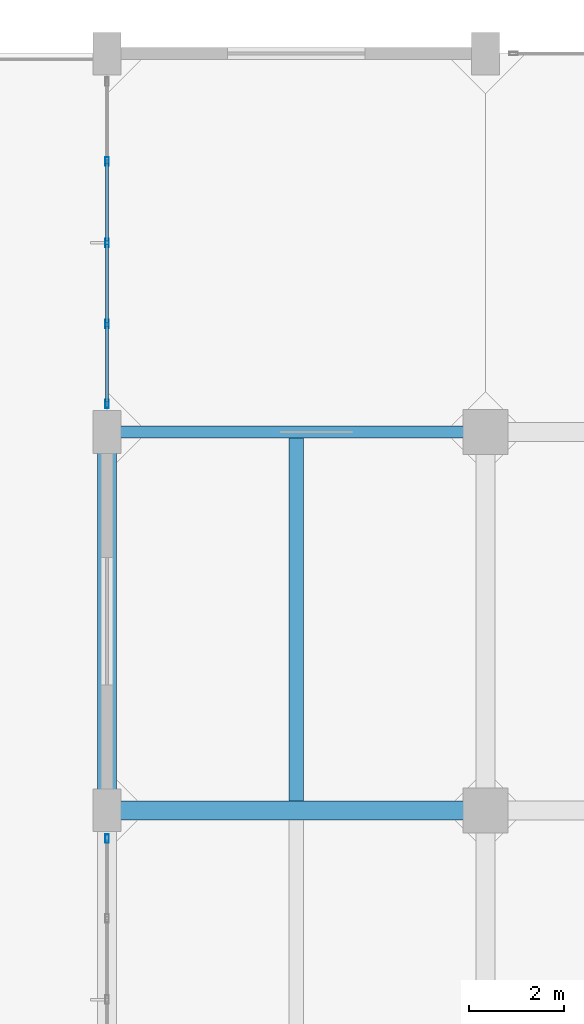
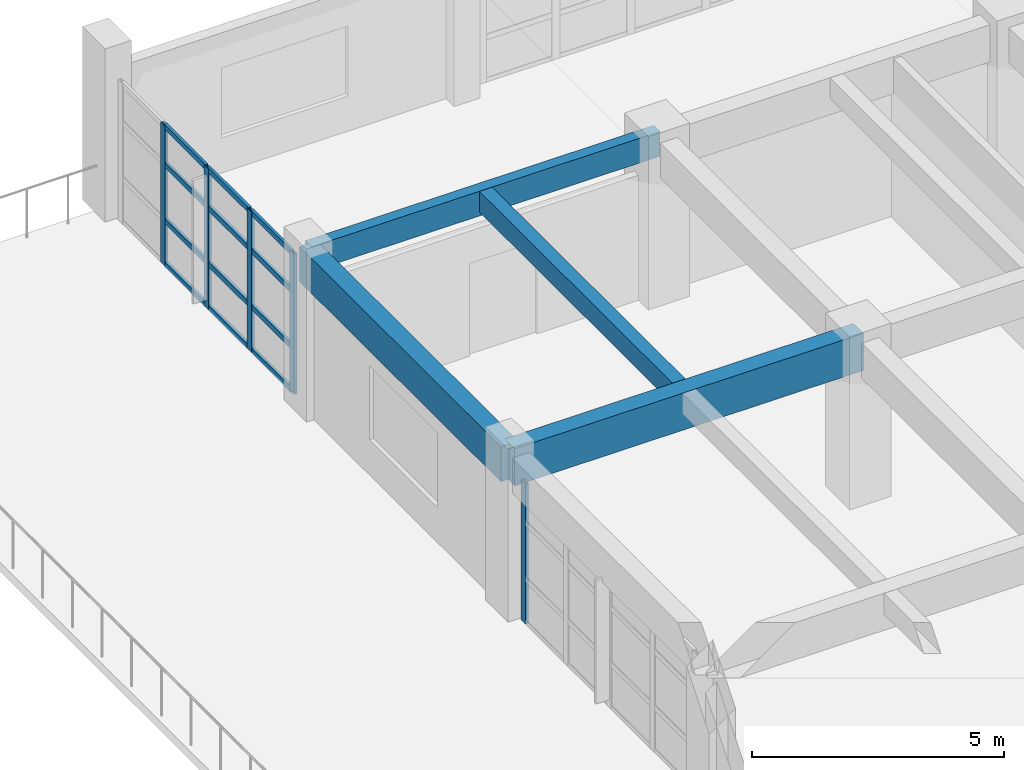
# One storey, part 9 of 35: 17 members, 4 beams, 2 elements without a shape of their own.
"""IFC4 building model written with IfcOpenShell, lengths in metres."""

from ifc_helpers import new_model, si_unit, direction, frame, origin, origin_2d, place, context, subcontext, project, spatial, rectangle, hollow_rectangle, extrude, material, layer, layer_set, material_profile, profile_set, type_object, element, aggregate, save


model = new_model("IFC4")

# Units and contexts
model_context = context("Model", 3, precision=1e-05, world=origin(), true_north=direction((0.0, 1.0)))
body_context = subcontext(model_context, "Body", "Model", "MODEL_VIEW")
ifc_project = project(units=[si_unit("LENGTHUNIT", "METRE"), si_unit("AREAUNIT", "SQUARE_METRE"), si_unit("VOLUMEUNIT", "CUBIC_METRE"), si_unit("PLANEANGLEUNIT", "RADIAN"), si_unit("MASSUNIT", "GRAM", prefix="KILO")], contexts=[model_context])

# Site, building, storey
site_placement = place(None, origin())
site = spatial("IfcSite", under=ifc_project, at=site_placement, CompositionType="ELEMENT")
building_placement = place(site_placement, origin())
building = spatial("IfcBuilding", under=site, at=building_placement, Name="Canggui Botanical Conservatory", CompositionType="ELEMENT")
storey_placement = place(building_placement, frame((0.0, 0.0, 15.0)))
storey = spatial("IfcBuildingStorey", under=building, at=storey_placement, Name="L04", CompositionType="ELEMENT", Elevation=15.0)

# Beams
ifc_material_1 = material(Name="Concrete C35", Category="concrete")
ifc_material_profile_1 = material_profile(ifc_material_1, rectangle(XDim=0.300048828125, YDim=0.5, at=origin_2d()), Name="RB 300x500")
ifc_profile_set_1 = profile_set([ifc_material_profile_1], Name="Concrete C35")
beam_type_1 = type_object("IfcBeamType", Name="BM-JST02", PredefinedType="JOIST", material=ifc_profile_set_1)
beam_1_placement = place(storey_placement, frame((142.0, 66.205078125, 3.699951171875), z_axis=(0.0, 1.0, 0.0), x_axis=(-1.0, 0.0, 0.0)))
element("IfcBeam", 1, at=beam_1_placement, inside=storey, type_object=beam_type_1, Name="Secondary Floor Joist L04-1-6", PredefinedType="JOIST", context=body_context, shape_type="SweptSolid", body=[
    extrude(rectangle(XDim=0.300048828125, YDim=0.5, at=origin_2d()), origin(), (0.0, 0.0, 1.0), 7.6650390625),
])
ifc_material_profile_2 = material_profile(ifc_material_1, rectangle(XDim=0.39990234375, YDim=0.89990234375, at=origin_2d()), Name="RB 400x900")
ifc_profile_set_2 = profile_set([ifc_material_profile_2], Name="Concrete C35")
beam_type_2 = type_object("IfcBeamType", Name="BM-KL07", PredefinedType="BEAM", material=ifc_profile_set_2)
beam_2_placement = place(storey_placement, frame((138.0, 66.0, 3.5), z_axis=(1.0, 0.0, 0.0), x_axis=(0.0, 1.0, 0.0)))
element("IfcBeam", 2, at=beam_2_placement, inside=storey, type_object=beam_type_2, Name="Frame Girder L04 Y66-1", PredefinedType="BEAM", context=body_context, shape_type="SweptSolid", body=[
    extrude(rectangle(XDim=0.39990234375, YDim=0.89990234375, at=origin_2d()), origin(), (0.0, 0.0, 1.0), 8.0),
])
ifc_material_profile_3 = material_profile(ifc_material_1, rectangle(XDim=0.39990234375, YDim=0.85009765625, at=origin_2d()), Name="RB 400x850")
ifc_profile_set_3 = profile_set([ifc_material_profile_3], Name="Concrete C35")
beam_type_3 = type_object("IfcBeamType", Name="BM-KL08", PredefinedType="BEAM", material=ifc_profile_set_3)
beam_3_placement = place(storey_placement, frame((138.0, 66.0, 3.52490234375), z_axis=(0.0, 1.0, 0.0), x_axis=(-1.0, 0.0, 0.0)))
element("IfcBeam", 3, at=beam_3_placement, inside=storey, type_object=beam_type_3, Name="Frame Girder L04 X138-6", PredefinedType="BEAM", context=body_context, shape_type="SweptSolid", body=[
    extrude(rectangle(XDim=0.39990234375, YDim=0.85009765625, at=origin_2d()), origin(), (0.0, 0.0, 1.0), 8.0),
])
ifc_material_profile_4 = material_profile(ifc_material_1, rectangle(XDim=0.25, YDim=0.60009765625, at=origin_2d()), Name="RB 250x600")
ifc_profile_set_4 = profile_set([ifc_material_profile_4], Name="Concrete C35")
beam_type_4 = type_object("IfcBeamType", Name="BM-SPD02", PredefinedType="SPANDREL", material=ifc_profile_set_4)
beam_4_placement = place(storey_placement, frame((138.0, 74.0, 3.64990234375), z_axis=(1.0, 0.0, 0.0), x_axis=(0.0, 1.0, 0.0)))
element("IfcBeam", 4, at=beam_4_placement, inside=storey, type_object=beam_type_4, Name="Frame Girder L04 Y74-1", PredefinedType="SPANDREL", context=body_context, shape_type="SweptSolid", body=[
    extrude(rectangle(XDim=0.25, YDim=0.60009765625, at=origin_2d()), origin(), (0.0, 0.0, 1.0), 8.0),
])

# Curtain wall, member
ifc_material_2 = material(Name="Thermally Broken Aluminium", Category="aluminium")
ifc_layer = layer(ifc_material_2, 0.179931640625, Name="Thermally Broken Aluminium", Category="aluminium")
ifc_layer_set = layer_set([ifc_layer], Name="Thermally Broken Aluminium")
curtain_wall_type = type_object("IfcCurtainWallType", Name="CW-UNIT-A", PredefinedType="USERDEFINED", material=ifc_layer_set)
curtain_wall_1_placement = place(storey_placement, origin())
curtain_wall_1 = element("IfcCurtainWall", 5, at=curtain_wall_1_placement, inside=storey, type_object=curtain_wall_type, Name="Facade Curtain Wall CW-TWR-L04-10", ObjectType="UNITISED CURTAIN WALL", PredefinedType="USERDEFINED")
ifc_material_profile_5 = material_profile(ifc_material_2, hollow_rectangle(XDim=0.070068359375, YDim=0.179931640625, WallThickness=0.00390625, at=origin_2d()), Name="CWM 70x180x4")
ifc_profile_set_5 = profile_set([ifc_material_profile_5], Name="Thermally Broken Aluminium")
member_type_1 = type_object("IfcMemberType", Name="CWM-01", PredefinedType="MULLION", material=ifc_profile_set_5)
member_1_placement = place(storey_placement, frame((138.0, 65.405029296875, 0.0), z_axis=(0.0, 0.0, 1.0), x_axis=(-1.0, 0.0, 0.0)))
member_1 = element("IfcMember", 6, at=member_1_placement, type_object=member_type_1, Name="CW-01 mullion 5", PredefinedType="MULLION", context=body_context, shape_type="SweptSolid", body=[
    extrude(hollow_rectangle(XDim=0.070068359375, YDim=0.179931640625, WallThickness=0.00390625, at=origin_2d()), origin(), (0.0, 0.0, 1.0), 3.39990234375),
])
aggregate(curtain_wall_1, [member_1])

# Curtain wall, members
curtain_wall_2_placement = place(storey_placement, origin())
curtain_wall_2 = element("IfcCurtainWall", 7, at=curtain_wall_2_placement, inside=storey, type_object=curtain_wall_type, Name="Facade Curtain Wall CW-TWR-L04-12", ObjectType="UNITISED CURTAIN WALL", PredefinedType="USERDEFINED")
member_2_placement = place(storey_placement, frame((138.0, 74.594970703125, 0.0), z_axis=(0.0, 0.0, 1.0), x_axis=(-1.0, 0.0, 0.0)))
member_2 = element("IfcMember", 8, at=member_2_placement, type_object=member_type_1, Name="CW-01 mullion 1", PredefinedType="MULLION", context=body_context, shape_type="SweptSolid", body=[
    extrude(hollow_rectangle(XDim=0.070068359375, YDim=0.179931640625, WallThickness=0.00390625, at=origin_2d()), origin(), (0.0, 0.0, 1.0), 3.39990234375),
])
member_3_placement = place(storey_placement, frame((138.0, 76.280029296875, 0.0), z_axis=(0.0, 0.0, 1.0), x_axis=(-1.0, 0.0, 0.0)))
member_3 = element("IfcMember", 9, at=member_3_placement, type_object=member_type_1, Name="CW-01 mullion 2", PredefinedType="MULLION", context=body_context, shape_type="SweptSolid", body=[
    extrude(hollow_rectangle(XDim=0.070068359375, YDim=0.179931640625, WallThickness=0.00390625, at=origin_2d()), origin(), (0.0, 0.0, 1.0), 3.39990234375),
])
member_4_placement = place(storey_placement, frame((138.0, 78.0, 0.0), z_axis=(0.0, 0.0, 1.0), x_axis=(-1.0, 0.0, 0.0)))
member_4 = element("IfcMember", 10, at=member_4_placement, type_object=member_type_1, Name="CW-01 mullion 3", PredefinedType="MULLION", context=body_context, shape_type="SweptSolid", body=[
    extrude(hollow_rectangle(XDim=0.070068359375, YDim=0.179931640625, WallThickness=0.00390625, at=origin_2d()), origin(), (0.0, 0.0, 1.0), 3.39990234375),
])
member_5_placement = place(storey_placement, frame((138.0, 79.719970703125, 0.0), z_axis=(0.0, 0.0, 1.0), x_axis=(-1.0, 0.0, 0.0)))
member_5 = element("IfcMember", 11, at=member_5_placement, type_object=member_type_1, Name="CW-01 mullion 4", PredefinedType="MULLION", context=body_context, shape_type="SweptSolid", body=[
    extrude(hollow_rectangle(XDim=0.070068359375, YDim=0.179931640625, WallThickness=0.00390625, at=origin_2d()), origin(), (0.0, 0.0, 1.0), 3.39990234375),
])
ifc_material_profile_6 = material_profile(ifc_material_2, hollow_rectangle(XDim=0.06494140625, YDim=0.1298828125, WallThickness=0.00341796875, at=origin_2d()), Name="CWT 65x130x3.5")
ifc_profile_set_6 = profile_set([ifc_material_profile_6], Name="Thermally Broken Aluminium")
member_type_2 = type_object("IfcMemberType", Name="CWT-01", PredefinedType="USERDEFINED", material=ifc_profile_set_6)
member_6_placement = place(storey_placement, frame((138.0, 74.6298828125, 0.032470703125), z_axis=(0.0, 1.0, 0.0), x_axis=(-1.0, 0.0, 0.0)))
member_6 = element("IfcMember", 12, at=member_6_placement, type_object=member_type_2, Name="CW-01 transom 1.1", ObjectType="TRANSOM", PredefinedType="USERDEFINED", context=body_context, shape_type="SweptSolid", body=[
    extrude(hollow_rectangle(XDim=0.06494140625, YDim=0.1298828125, WallThickness=0.00341796875, at=origin_2d()), origin(), (0.0, 0.0, 1.0), 1.615234375),
])
member_7_placement = place(storey_placement, frame((138.0, 74.6298828125, 1.087890625), z_axis=(0.0, 1.0, 0.0), x_axis=(-1.0, 0.0, 0.0)))
member_7 = element("IfcMember", 13, at=member_7_placement, type_object=member_type_2, Name="CW-01 transom 1.2", ObjectType="TRANSOM", PredefinedType="USERDEFINED", context=body_context, shape_type="SweptSolid", body=[
    extrude(hollow_rectangle(XDim=0.06494140625, YDim=0.1298828125, WallThickness=0.00341796875, at=origin_2d()), origin(), (0.0, 0.0, 1.0), 1.615234375),
])
member_8_placement = place(storey_placement, frame((138.0, 74.6298828125, 2.447998046875), z_axis=(0.0, 1.0, 0.0), x_axis=(-1.0, 0.0, 0.0)))
member_8 = element("IfcMember", 14, at=member_8_placement, type_object=member_type_2, Name="CW-01 transom 1.3", ObjectType="TRANSOM", PredefinedType="USERDEFINED", context=body_context, shape_type="SweptSolid", body=[
    extrude(hollow_rectangle(XDim=0.06494140625, YDim=0.1298828125, WallThickness=0.00341796875, at=origin_2d()), origin(), (0.0, 0.0, 1.0), 1.615234375),
])
member_9_placement = place(storey_placement, frame((138.0, 74.6298828125, 3.367431640625), z_axis=(0.0, 1.0, 0.0), x_axis=(-1.0, 0.0, 0.0)))
member_9 = element("IfcMember", 15, at=member_9_placement, type_object=member_type_2, Name="CW-01 transom 1.4", ObjectType="TRANSOM", PredefinedType="USERDEFINED", context=body_context, shape_type="SweptSolid", body=[
    extrude(hollow_rectangle(XDim=0.06494140625, YDim=0.1298828125, WallThickness=0.00341796875, at=origin_2d()), origin(), (0.0, 0.0, 1.0), 1.615234375),
])
member_10_placement = place(storey_placement, frame((138.0, 76.31494140625, 0.032470703125), z_axis=(0.0, 1.0, 0.0), x_axis=(-1.0, 0.0, 0.0)))
member_10 = element("IfcMember", 16, at=member_10_placement, type_object=member_type_2, Name="CW-01 transom 2.1", ObjectType="TRANSOM", PredefinedType="USERDEFINED", context=body_context, shape_type="SweptSolid", body=[
    extrude(hollow_rectangle(XDim=0.06494140625, YDim=0.1298828125, WallThickness=0.00341796875, at=origin_2d()), origin(), (0.0, 0.0, 1.0), 1.650146484375),
])
member_11_placement = place(storey_placement, frame((138.0, 76.31494140625, 1.087890625), z_axis=(0.0, 1.0, 0.0), x_axis=(-1.0, 0.0, 0.0)))
member_11 = element("IfcMember", 17, at=member_11_placement, type_object=member_type_2, Name="CW-01 transom 2.2", ObjectType="TRANSOM", PredefinedType="USERDEFINED", context=body_context, shape_type="SweptSolid", body=[
    extrude(hollow_rectangle(XDim=0.06494140625, YDim=0.1298828125, WallThickness=0.00341796875, at=origin_2d()), origin(), (0.0, 0.0, 1.0), 1.650146484375),
])
member_12_placement = place(storey_placement, frame((138.0, 76.31494140625, 2.447998046875), z_axis=(0.0, 1.0, 0.0), x_axis=(-1.0, 0.0, 0.0)))
member_12 = element("IfcMember", 18, at=member_12_placement, type_object=member_type_2, Name="CW-01 transom 2.3", ObjectType="TRANSOM", PredefinedType="USERDEFINED", context=body_context, shape_type="SweptSolid", body=[
    extrude(hollow_rectangle(XDim=0.06494140625, YDim=0.1298828125, WallThickness=0.00341796875, at=origin_2d()), origin(), (0.0, 0.0, 1.0), 1.650146484375),
])
member_13_placement = place(storey_placement, frame((138.0, 76.31494140625, 3.367431640625), z_axis=(0.0, 1.0, 0.0), x_axis=(-1.0, 0.0, 0.0)))
member_13 = element("IfcMember", 19, at=member_13_placement, type_object=member_type_2, Name="CW-01 transom 2.4", ObjectType="TRANSOM", PredefinedType="USERDEFINED", context=body_context, shape_type="SweptSolid", body=[
    extrude(hollow_rectangle(XDim=0.06494140625, YDim=0.1298828125, WallThickness=0.00341796875, at=origin_2d()), origin(), (0.0, 0.0, 1.0), 1.650146484375),
])
member_14_placement = place(storey_placement, frame((138.0, 78.034912109375, 0.032470703125), z_axis=(0.0, 1.0, 0.0), x_axis=(-1.0, 0.0, 0.0)))
member_14 = element("IfcMember", 20, at=member_14_placement, type_object=member_type_2, Name="CW-01 transom 3.1", ObjectType="TRANSOM", PredefinedType="USERDEFINED", context=body_context, shape_type="SweptSolid", body=[
    extrude(hollow_rectangle(XDim=0.06494140625, YDim=0.1298828125, WallThickness=0.00341796875, at=origin_2d()), origin(), (0.0, 0.0, 1.0), 1.650146484375),
])
member_15_placement = place(storey_placement, frame((138.0, 78.034912109375, 1.087890625), z_axis=(0.0, 1.0, 0.0), x_axis=(-1.0, 0.0, 0.0)))
member_15 = element("IfcMember", 21, at=member_15_placement, type_object=member_type_2, Name="CW-01 transom 3.2", ObjectType="TRANSOM", PredefinedType="USERDEFINED", context=body_context, shape_type="SweptSolid", body=[
    extrude(hollow_rectangle(XDim=0.06494140625, YDim=0.1298828125, WallThickness=0.00341796875, at=origin_2d()), origin(), (0.0, 0.0, 1.0), 1.650146484375),
])
member_16_placement = place(storey_placement, frame((138.0, 78.034912109375, 2.447998046875), z_axis=(0.0, 1.0, 0.0), x_axis=(-1.0, 0.0, 0.0)))
member_16 = element("IfcMember", 22, at=member_16_placement, type_object=member_type_2, Name="CW-01 transom 3.3", ObjectType="TRANSOM", PredefinedType="USERDEFINED", context=body_context, shape_type="SweptSolid", body=[
    extrude(hollow_rectangle(XDim=0.06494140625, YDim=0.1298828125, WallThickness=0.00341796875, at=origin_2d()), origin(), (0.0, 0.0, 1.0), 1.650146484375),
])
member_17_placement = place(storey_placement, frame((138.0, 78.034912109375, 3.367431640625), z_axis=(0.0, 1.0, 0.0), x_axis=(-1.0, 0.0, 0.0)))
member_17 = element("IfcMember", 23, at=member_17_placement, type_object=member_type_2, Name="CW-01 transom 3.4", ObjectType="TRANSOM", PredefinedType="USERDEFINED", context=body_context, shape_type="SweptSolid", body=[
    extrude(hollow_rectangle(XDim=0.06494140625, YDim=0.1298828125, WallThickness=0.00341796875, at=origin_2d()), origin(), (0.0, 0.0, 1.0), 1.650146484375),
])
aggregate(curtain_wall_2, [member_2, member_3, member_4, member_5, member_6, member_7, member_8, member_9, member_10, member_11, member_12, member_13, member_14, member_15, member_16, member_17])

save(model, "model.ifc")
